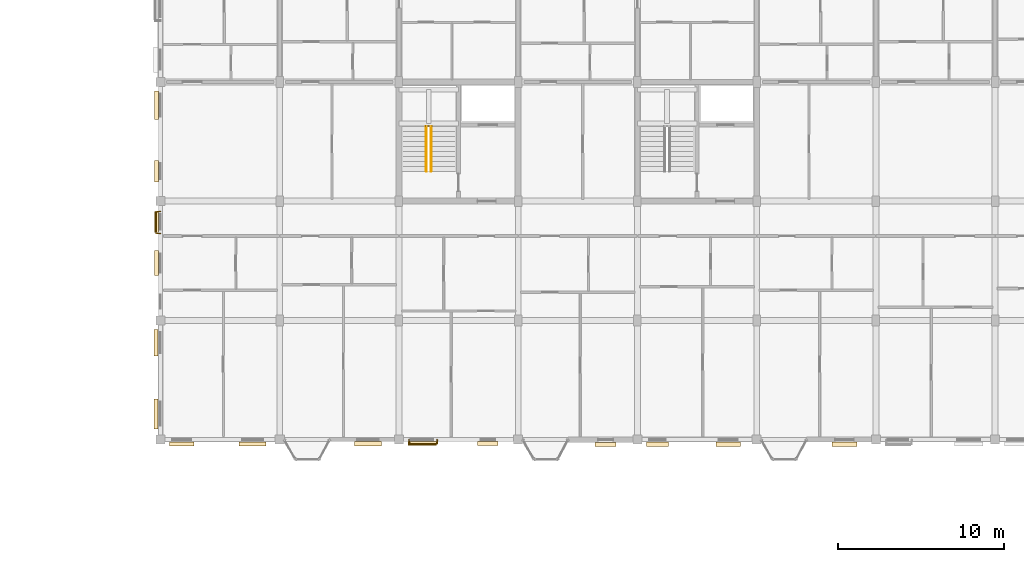
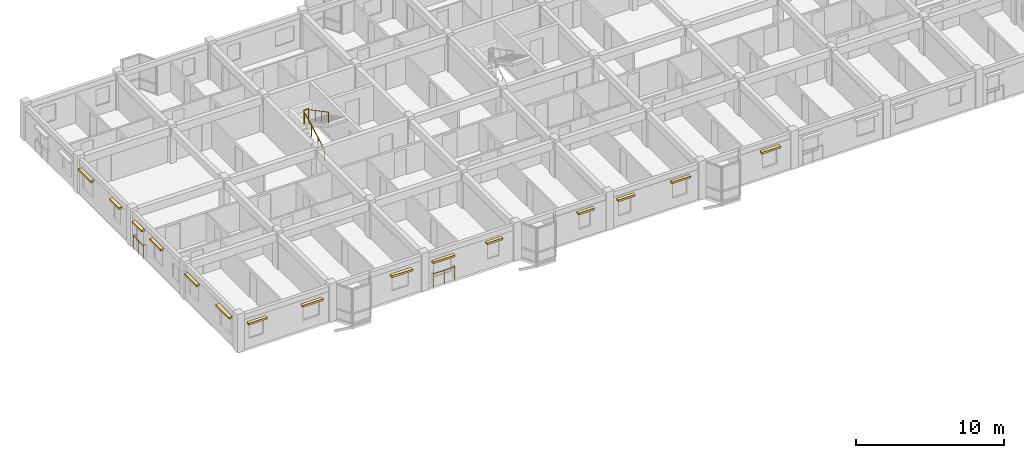
# One storey, part 77 of 79: 15 coverings, 5 railings.
"""IFC4 building model written with IfcOpenShell, lengths in metres."""

from ifc_helpers import new_model, si_unit, direction, frame, origin, origin_2d, place, context, subcontext, project, spatial, rectangle, circle, extrude, material, layer, layer_set, type_object, element, save


model = new_model("IFC4")

# Units and contexts
model_context = context("Model", 3, precision=1e-05, world=origin(), true_north=direction((0.0, 1.0)))
body_context = subcontext(model_context, "Body", "Model", "MODEL_VIEW")
ifc_project = project(units=[si_unit("LENGTHUNIT", "METRE"), si_unit("AREAUNIT", "SQUARE_METRE"), si_unit("VOLUMEUNIT", "CUBIC_METRE"), si_unit("PLANEANGLEUNIT", "RADIAN"), si_unit("MASSUNIT", "GRAM", prefix="KILO"), si_unit("THERMODYNAMICTEMPERATUREUNIT", "KELVIN"), si_unit("POWERUNIT", "WATT")], contexts=[model_context])

# Site, building, storey
site_placement = place(None, origin())
site = spatial("IfcSite", under=ifc_project, at=site_placement, CompositionType="ELEMENT")
building_placement = place(site_placement, origin())
building = spatial("IfcBuilding", under=site, at=building_placement, Name="Tavuni Mirador Residences", CompositionType="ELEMENT")
storey_placement = place(building_placement, frame((0.0, 0.0, 13.949951171875)))
storey = spatial("IfcBuildingStorey", under=building, at=storey_placement, Name="L04", CompositionType="ELEMENT", Elevation=13.949951171875)

# Coverings
ifc_material_1 = material(Name="Natural coral limestone", Category="masonry")
ifc_layer = layer(ifc_material_1, 0.054931640625, Name="Natural coral limestone", Category="masonry")
ifc_layer_set = layer_set([ifc_layer], Name="Natural coral limestone")
covering_type = type_object("IfcCoveringType", Name="CVT-CLAD-CORAL", PredefinedType="CLADDING", material=ifc_layer_set)
covering_1_placement = place(storey_placement, frame((12.0849609375, 143.740478515625, 2.065185546875), z_axis=(0.0, 0.0, 1.0), x_axis=(1.0, 0.0, 0.0)))
element("IfcCovering", 1, at=covering_1_placement, inside=storey, type_object=covering_type, Name="HOOD-0610", PredefinedType="CLADDING", context=body_context, shape_type="SweptSolid", body=[
    extrude(rectangle(XDim=1.4599609375, YDim=0.25, at=origin_2d()), origin(), (0.0, 0.0, 1.0), 0.14990234375),
])
covering_2_placement = place(storey_placement, frame((16.364990234375, 143.740478515625, 2.065185546875), z_axis=(0.0, 0.0, 1.0), x_axis=(1.0, 0.0, 0.0)))
element("IfcCovering", 2, at=covering_2_placement, inside=storey, type_object=covering_type, Name="HOOD-0611", PredefinedType="CLADDING", context=body_context, shape_type="SweptSolid", body=[
    extrude(rectangle(XDim=1.6201171875, YDim=0.25, at=origin_2d()), origin(), (0.0, 0.0, 1.0), 0.14990234375),
])
covering_3_placement = place(storey_placement, frame((23.33251953125, 143.74560546875, 2.06005859375), z_axis=(0.0, 0.0, 1.0), x_axis=(1.0, 0.0, 0.0)))
element("IfcCovering", 3, at=covering_3_placement, inside=storey, type_object=covering_type, Name="HOOD-0612", PredefinedType="CLADDING", context=body_context, shape_type="SweptSolid", body=[
    extrude(rectangle(XDim=1.639892578125, YDim=0.260009765625, at=origin_2d()), origin(), (0.0, 0.0, 1.0), 0.159912109375),
])
covering_4_placement = place(storey_placement, frame((26.60498046875, 143.755615234375, 2.065185546875), z_axis=(0.0, 0.0, 1.0), x_axis=(1.0, 0.0, 0.0)))
element("IfcCovering", 4, at=covering_4_placement, inside=storey, type_object=covering_type, Name="HOOD-0613", PredefinedType="CLADDING", context=body_context, shape_type="SweptSolid", body=[
    extrude(rectangle(XDim=1.699951171875, YDim=0.25, at=origin_2d()), origin(), (0.0, 0.0, 1.0), 0.14990234375),
])
covering_5_placement = place(storey_placement, frame((30.574951171875, 143.755615234375, 2.1650390625), z_axis=(0.0, 0.0, 1.0), x_axis=(1.0, 0.0, 0.0)))
element("IfcCovering", 5, at=covering_5_placement, inside=storey, type_object=covering_type, Name="HOOD-0614", PredefinedType="CLADDING", context=body_context, shape_type="SweptSolid", body=[
    extrude(rectangle(XDim=1.239990234375, YDim=0.25, at=origin_2d()), origin(), (0.0, 0.0, 1.0), 0.14990234375),
])
covering_6_placement = place(storey_placement, frame((37.6826171875, 143.7080078125, 2.16015625), z_axis=(0.0, 0.0, 1.0), x_axis=(1.0, 0.0, 0.0)))
element("IfcCovering", 6, at=covering_6_placement, inside=storey, type_object=covering_type, Name="HOOD-0615", PredefinedType="CLADDING", context=body_context, shape_type="SweptSolid", body=[
    extrude(rectangle(XDim=1.260009765625, YDim=0.260009765625, at=origin_2d()), origin(), (0.0, 0.0, 1.0), 0.159912109375),
])
covering_7_placement = place(storey_placement, frame((40.81494140625, 143.720458984375, 2.1650390625), z_axis=(0.0, 0.0, 1.0), x_axis=(1.0, 0.0, 0.0)))
element("IfcCovering", 7, at=covering_7_placement, inside=storey, type_object=covering_type, Name="HOOD-0616", PredefinedType="CLADDING", context=body_context, shape_type="SweptSolid", body=[
    extrude(rectangle(XDim=1.320068359375, YDim=0.25, at=origin_2d()), origin(), (0.0, 0.0, 1.0), 0.14990234375),
])
covering_8_placement = place(storey_placement, frame((45.094970703125, 143.720458984375, 2.1650390625), z_axis=(0.0, 0.0, 1.0), x_axis=(1.0, 0.0, 0.0)))
element("IfcCovering", 8, at=covering_8_placement, inside=storey, type_object=covering_type, Name="HOOD-0617", PredefinedType="CLADDING", context=body_context, shape_type="SweptSolid", body=[
    extrude(rectangle(XDim=1.47998046875, YDim=0.25, at=origin_2d()), origin(), (0.0, 0.0, 1.0), 0.14990234375),
])
covering_9_placement = place(storey_placement, frame((52.107421875, 143.720458984375, 2.16015625), z_axis=(0.0, 0.0, 1.0), x_axis=(1.0, 0.0, 0.0)))
element("IfcCovering", 9, at=covering_9_placement, inside=storey, type_object=covering_type, Name="HOOD-0618", PredefinedType="CLADDING", context=body_context, shape_type="SweptSolid", body=[
    extrude(rectangle(XDim=1.5, YDim=0.260009765625, at=origin_2d()), origin(), (0.0, 0.0, 1.0), 0.159912109375),
])
covering_10_placement = place(storey_placement, frame((10.555419921875, 164.18505859375, 2.1650390625), z_axis=(0.0, 0.0, 1.0), x_axis=(0.0, -1.0, 0.0)))
element("IfcCovering", 10, at=covering_10_placement, inside=storey, type_object=covering_type, Name="HOOD-0651", PredefinedType="CLADDING", context=body_context, shape_type="SweptSolid", body=[
    extrude(rectangle(XDim=1.719970703125, YDim=0.25, at=origin_2d()), origin(), (0.0, 0.0, 1.0), 0.14990234375),
])
for number, where, z_axis, x_axis, name in (
    (11, (10.555419921875, 160.205078125, 2.2451171875), (0.0, 0.0, 1.0), (0.0, -1.0, 0.0), "HOOD-0652"),
    (12, (10.550537109375, 157.142578125, 2.2451171875), (0.0, 0.0, 1.0), (0.0, -1.0, 0.0), "HOOD-0653"),
):
    element("IfcCovering", number, at=place(storey_placement, frame(where, z_axis=z_axis, x_axis=x_axis)), inside=storey, type_object=covering_type, Name=name, PredefinedType="CLADDING", context=body_context, shape_type="SweptSolid", body=[
        extrude(rectangle(XDim=1.280029296875, YDim=0.25, at=origin_2d()), origin(), (0.0, 0.0, 1.0), 0.14990234375),
    ])
covering_11_placement = place(storey_placement, frame((10.550537109375, 154.659912109375, 2.2451171875), z_axis=(0.0, 0.0, 1.0), x_axis=(0.0, -1.0, 0.0)))
element("IfcCovering", 13, at=covering_11_placement, inside=storey, type_object=covering_type, Name="HOOD-0654", PredefinedType="CLADDING", context=body_context, shape_type="SweptSolid", body=[
    extrude(rectangle(XDim=1.489990234375, YDim=0.25, at=origin_2d()), origin(), (0.0, 0.0, 1.0), 0.14990234375),
])
covering_12_placement = place(storey_placement, frame((10.54052734375, 149.85009765625, 2.2451171875), z_axis=(0.0, 0.0, 1.0), x_axis=(0.0, -1.0, 0.0)))
element("IfcCovering", 14, at=covering_12_placement, inside=storey, type_object=covering_type, Name="HOOD-0655", PredefinedType="CLADDING", context=body_context, shape_type="SweptSolid", body=[
    extrude(rectangle(XDim=1.590087890625, YDim=0.25, at=origin_2d()), origin(), (0.0, 0.0, 1.0), 0.14990234375),
])
covering_13_placement = place(storey_placement, frame((10.54052734375, 145.550048828125, 2.2451171875), z_axis=(0.0, 0.0, 1.0), x_axis=(0.0, -1.0, 0.0)))
element("IfcCovering", 15, at=covering_13_placement, inside=storey, type_object=covering_type, Name="HOOD-0656", PredefinedType="CLADDING", context=body_context, shape_type="SweptSolid", body=[
    extrude(rectangle(XDim=1.7900390625, YDim=0.25, at=origin_2d()), origin(), (0.0, 0.0, 1.0), 0.14990234375),
])

# Railings
ifc_material_2 = material(Name="Structural steel S355", Category="steel")
railing_type_1 = type_object("IfcRailingType", Name="RT-BL1150", PredefinedType="BALUSTRADE", material=ifc_material_2)
railing_1_placement = place(storey_placement, frame((25.824951171875, 144.0, 0.0400390625)))
element("IfcRailing", 16, at=railing_1_placement, inside=storey, type_object=railing_type_1, Name="BALC-BLK-C-L04-S02", PredefinedType="BALUSTRADE", context=body_context, shape_type="SweptSolid", body=[
    extrude(circle(Radius=0.02392578125, at=origin_2d()), frame((0.0, 0.0, 1.1259765625), z_axis=(0.0, -1.0, 0.0), x_axis=(1.0, 0.0, 0.0)), (0.0, 0.0, 1.0), 0.262451171875),
    extrude(circle(Radius=0.02392578125, at=origin_2d()), frame((0.0, -0.262451171875, 1.1259765625), z_axis=(1.0, 0.0, 0.0), x_axis=(0.0, 1.0, 0.0)), (0.0, 0.0, 1.0), 1.679931640625),
    extrude(circle(Radius=0.02392578125, at=origin_2d()), frame((1.679931640625, -0.262451171875, 1.1259765625), z_axis=(0.0, 1.0, 0.0), x_axis=(-1.0, 0.0, 0.0)), (0.0, 0.0, 1.0), 0.262451171875),
    extrude(circle(Radius=0.02099609375, at=origin_2d()), origin(), (0.0, 0.0, 1.0), 1.101806640625),
    extrude(circle(Radius=0.02099609375, at=origin_2d()), frame((0.0, -0.262451171875, 0.0)), (0.0, 0.0, 1.0), 1.101806640625),
    extrude(circle(Radius=0.02099609375, at=origin_2d()), frame((0.83984375, -0.262451171875, 0.0)), (0.0, 0.0, 1.0), 1.101806640625),
    extrude(circle(Radius=0.02099609375, at=origin_2d()), frame((1.679931640625, -0.262451171875, 0.0)), (0.0, 0.0, 1.0), 1.101806640625),
    extrude(circle(Radius=0.02099609375, at=origin_2d()), frame((1.679931640625, 0.0, 0.0)), (0.0, 0.0, 1.0), 1.101806640625),
])
railing_2_placement = place(storey_placement, frame((10.800048828125, 157.77490234375, 0.0400390625)))
element("IfcRailing", 17, at=railing_2_placement, inside=storey, type_object=railing_type_1, Name="BALC-BLK-C-L04-W01", PredefinedType="BALUSTRADE", context=body_context, shape_type="SweptSolid", body=[
    extrude(circle(Radius=0.02392578125, at=origin_2d()), frame((0.0, 0.0, 1.1259765625), z_axis=(-1.0, 0.0, 0.0), x_axis=(0.0, -1.0, 0.0)), (0.0, 0.0, 1.0), 0.267578125),
    extrude(circle(Radius=0.02392578125, at=origin_2d()), frame((-0.267578125, 0.0, 1.1259765625), z_axis=(0.0, -1.0, 0.0), x_axis=(1.0, 0.0, 0.0)), (0.0, 0.0, 1.0), 1.322509765625),
    extrude(circle(Radius=0.02392578125, at=origin_2d()), frame((-0.267578125, -1.322509765625, 1.1259765625), z_axis=(1.0, 0.0, 0.0), x_axis=(0.0, 1.0, 0.0)), (0.0, 0.0, 1.0), 0.267578125),
    extrude(circle(Radius=0.02099609375, at=origin_2d()), origin(), (0.0, 0.0, 1.0), 1.101806640625),
    extrude(circle(Radius=0.02099609375, at=origin_2d()), frame((-0.267578125, 0.0, 0.0)), (0.0, 0.0, 1.0), 1.101806640625),
    extrude(circle(Radius=0.02099609375, at=origin_2d()), frame((-0.267578125, -0.6611328125, 0.0)), (0.0, 0.0, 1.0), 1.101806640625),
    extrude(circle(Radius=0.02099609375, at=origin_2d()), frame((-0.267578125, -1.322509765625, 0.0)), (0.0, 0.0, 1.0), 1.101806640625),
    extrude(circle(Radius=0.02099609375, at=origin_2d()), frame((0.0, -1.322509765625, 0.0)), (0.0, 0.0, 1.0), 1.101806640625),
])
railing_type_2 = type_object("IfcRailingType", Name="RT-GR1120", PredefinedType="GUARDRAIL", material=ifc_material_2)
railing_3_placement = place(storey_placement, frame((26.820068359375, 162.93994140625, 1.574951171875)))
element("IfcRailing", 18, at=railing_3_placement, inside=storey, type_object=railing_type_2, Name="GRD-HL-ST5-L04", PredefinedType="GUARDRAIL", context=body_context, shape_type="SweptSolid", body=[
    extrude(circle(Radius=0.02392578125, at=origin_2d()), frame((0.0, 0.0, 1.09619140625), z_axis=(1.0, 0.0, 0.0), x_axis=(0.0, 1.0, 0.0)), (0.0, 0.0, 1.0), 0.35986328125),
    extrude(circle(Radius=0.02099609375, at=origin_2d()), origin(), (0.0, 0.0, 1.0), 1.072021484375),
    extrude(circle(Radius=0.02099609375, at=origin_2d()), frame((0.35986328125, 0.0, 0.0)), (0.0, 0.0, 1.0), 1.072021484375),
])
railing_type_3 = type_object("IfcRailingType", Name="RT-HR920", PredefinedType="HANDRAIL", material=ifc_material_2)
railing_4_placement = place(storey_placement, frame((26.85009765625, 160.199951171875, 0.157470703125)))
element("IfcRailing", 19, at=railing_4_placement, inside=storey, type_object=railing_type_3, Name="HR-ST5-L04-F1", PredefinedType="HANDRAIL", context=body_context, shape_type="SweptSolid", body=[
    extrude(circle(Radius=0.02392578125, at=origin_2d()), frame((0.0, 0.0, 0.89599609375), z_axis=(0.0, 0.885397079081, 0.464835468048), x_axis=(-1.0, 0.0, 0.0)), (0.0, 0.0, 1.0), 3.04931640625),
    extrude(circle(Radius=0.02099609375, at=origin_2d()), origin(), (0.0, 0.0, 1.0), 0.871826171875),
    extrude(circle(Radius=0.02099609375, at=origin_2d()), frame((0.0, 0.89990234375, 0.472412109375)), (0.0, 0.0, 1.0), 0.871826171875),
    extrude(circle(Radius=0.02099609375, at=origin_2d()), frame((0.0, 1.800048828125, 0.945068359375)), (0.0, 0.0, 1.0), 0.871826171875),
    extrude(circle(Radius=0.02099609375, at=origin_2d()), frame((0.0, 2.699951171875, 1.41748046875)), (0.0, 0.0, 1.0), 0.871826171875),
])
railing_5_placement = place(storey_placement, frame((27.14990234375, 162.89990234375, 1.732666015625)))
element("IfcRailing", 20, at=railing_5_placement, inside=storey, type_object=railing_type_3, Name="HR-ST5-L04-F2", PredefinedType="HANDRAIL", context=body_context, shape_type="SweptSolid", body=[
    extrude(circle(Radius=0.02392578125, at=origin_2d()), frame((0.0, 0.0, 0.89599609375), z_axis=(0.0, -0.885397079081, 0.464835468048), x_axis=(1.0, 0.0, 0.0)), (0.0, 0.0, 1.0), 3.04931640625),
    extrude(circle(Radius=0.02099609375, at=origin_2d()), origin(), (0.0, 0.0, 1.0), 0.871826171875),
    extrude(circle(Radius=0.02099609375, at=origin_2d()), frame((0.0, -0.89990234375, 0.472412109375)), (0.0, 0.0, 1.0), 0.871826171875),
    extrude(circle(Radius=0.02099609375, at=origin_2d()), frame((0.0, -1.800048828125, 0.945068359375)), (0.0, 0.0, 1.0), 0.871826171875),
    extrude(circle(Radius=0.02099609375, at=origin_2d()), frame((0.0, -2.699951171875, 1.41748046875)), (0.0, 0.0, 1.0), 0.871826171875),
])

save(model, "model.ifc")
